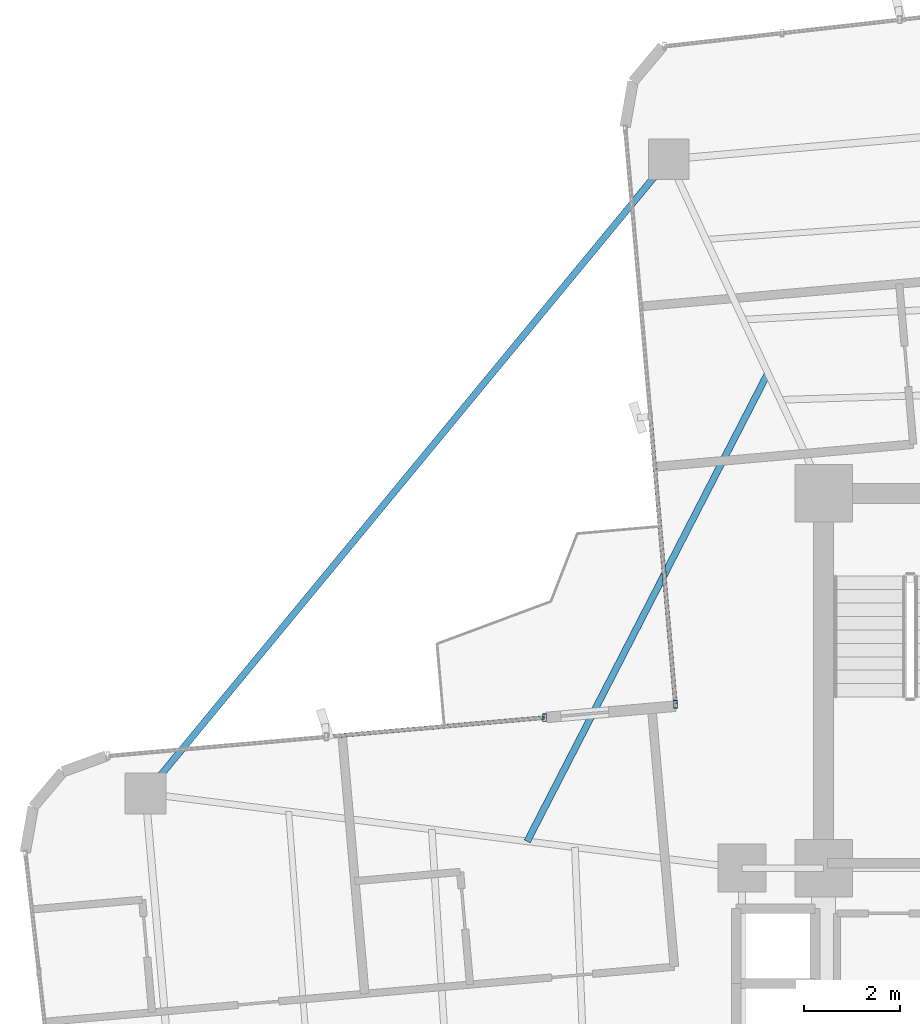
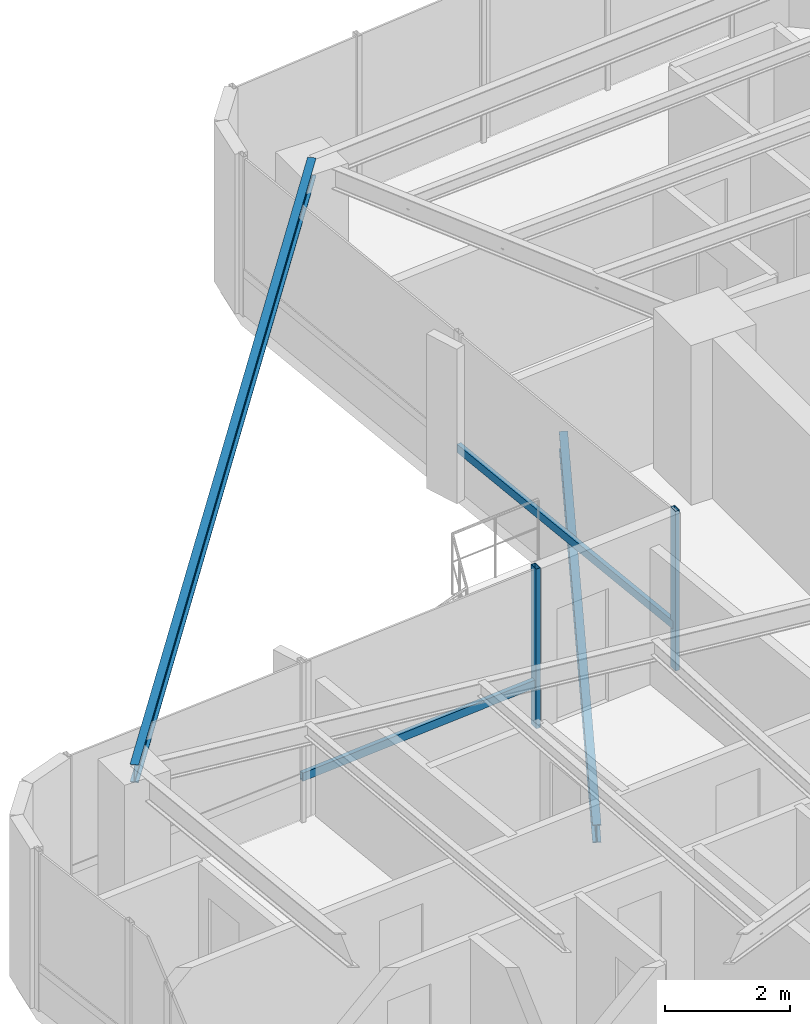
# One storey, part 10 of 24: 4 members, 2 beams, 2 elements without a shape of their own.
"""IFC4 building model written with IfcOpenShell, lengths in metres."""

from ifc_helpers import new_model, si_unit, direction, frame, origin, origin_2d, place, context, subcontext, project, spatial, hollow_rectangle, i_section, extrude, source, transform, mapped, material, material_profile, profile_set, type_object, element, aggregate, save


model = new_model("IFC4")

# Units and contexts
model_context = context("Model", 3, precision=1e-05, world=origin(), true_north=direction((0.0, 1.0)))
body_context = subcontext(model_context, "Body", "Model", "MODEL_VIEW")
ifc_project = project(units=[si_unit("LENGTHUNIT", "METRE"), si_unit("AREAUNIT", "SQUARE_METRE"), si_unit("VOLUMEUNIT", "CUBIC_METRE"), si_unit("PLANEANGLEUNIT", "RADIAN"), si_unit("MASSUNIT", "GRAM", prefix="KILO")], contexts=[model_context])

# Site, building, storey
site_placement = place(None, origin())
site = spatial("IfcSite", under=ifc_project, at=site_placement, CompositionType="ELEMENT")
building_placement = place(site_placement, origin())
building = spatial("IfcBuilding", under=site, at=building_placement, Name="Sahyath Konkavel Grand Hotel", CompositionType="ELEMENT")
storey_placement = place(building_placement, frame((0.0, 0.0, 178.550048828125)))
storey = spatial("IfcBuildingStorey", under=building, at=storey_placement, Name="L49", CompositionType="ELEMENT", Elevation=178.550048828125)

# Beam
ifc_material_1 = material(Name="Steel E350", Category="steel")
ifc_material_profile_1 = material_profile(ifc_material_1, i_section(OverallWidth=0.139892578125, OverallDepth=0.35009765625, WebThickness=0.008056640625, FlangeThickness=0.01416015625, FilletRadius=0.013916015625, at=origin_2d()), Name="ISMB 350")
ifc_profile_set_1 = profile_set([ifc_material_profile_1], Name="Steel E350")
beam_type_1 = type_object("IfcBeamType", Name="BM-ISMB350", PredefinedType="BEAM", material=ifc_profile_set_1)
shared_shape_1 = source(origin(), body_context, "Body", "SweptSolid", [
    extrude(i_section(OverallWidth=0.139892578125, OverallDepth=0.35009765625, WebThickness=0.008056640625, FlangeThickness=0.01416015625, FilletRadius=0.013916015625, at=origin_2d()), origin(), (0.0, 0.0, 1.0), 17.112548828125),
])
beam_1_placement = place(storey_placement, frame((-7.021728515625, 17.1533203125, 2.93505859375), z_axis=(-0.636437070092, -0.77132863023, 0.0), x_axis=(0.77132863023, -0.636437070092, 0.0)))
element("IfcBeam", 1, at=beam_1_placement, inside=storey, type_object=beam_type_1, Name="L49 Re-Entrant Tie Beam NW", PredefinedType="BEAM", context=body_context, shape_type="MappedRepresentation", body=[
    mapped(shared_shape_1, transform((0.0, 0.0, 0.0), scale=1.0)),
])

# Curtain wall, member
ifc_material_2 = material(Name="Anodised Bronze Aluminium & Low-E Glazing", Category="aluminium")
curtain_wall_type = type_object("IfcCurtainWallType", Name="CW-ZONE3", PredefinedType="NOTDEFINED", material=ifc_material_2)
curtain_wall_1_placement = place(storey_placement, origin())
curtain_wall_1 = element("IfcCurtainWall", 2, at=curtain_wall_1_placement, inside=storey, type_object=curtain_wall_type, Name="L49 Unitised Curtain Wall F15", PredefinedType="NOTDEFINED")
ifc_material_3 = material(Name="Anodised Bronze Aluminium", Category="aluminium")
ifc_material_profile_2 = material_profile(ifc_material_3, hollow_rectangle(XDim=0.080078125, YDim=0.159912109375, WallThickness=0.006103515625, at=origin_2d()), Name="RHS 160x80x6")
ifc_profile_set_2 = profile_set([ifc_material_profile_2], Name="Anodised Bronze Aluminium")
member_type_1 = type_object("IfcMemberType", Name="CW-MUL-160", PredefinedType="MULLION", material=ifc_profile_set_2)
shared_shape_2 = source(origin(), body_context, "Body", "SweptSolid", [
    extrude(hollow_rectangle(XDim=0.080078125, YDim=0.159912109375, WallThickness=0.006103515625, at=origin_2d()), origin(), (0.0, 0.0, 1.0), 3.10986328125),
])
member_1_placement = place(storey_placement, frame((-6.8828125, 5.812255859375, 0.0), z_axis=(0.0, 0.0, 1.0), x_axis=(1.0, 0.0, 0.0)))
member_1 = element("IfcMember", 3, at=member_1_placement, type_object=member_type_1, Name="L49 Curtain Wall Mullion F15-2", PredefinedType="MULLION", context=body_context, shape_type="MappedRepresentation", body=[
    mapped(shared_shape_2, transform((0.0, 0.0, 0.0), scale=1.0)),
])

# Curtain wall, members
curtain_wall_2_placement = place(storey_placement, origin())
curtain_wall_2 = element("IfcCurtainWall", 4, at=curtain_wall_2_placement, inside=storey, type_object=curtain_wall_type, Name="L49 Unitised Curtain Wall F16", PredefinedType="NOTDEFINED")
member_2_placement = place(storey_placement, frame((-9.60888671875, 5.53369140625, 0.0), z_axis=(0.0, 0.0, 1.0), x_axis=(1.0, 0.0, 0.0)))
member_2 = element("IfcMember", 5, at=member_2_placement, type_object=member_type_1, Name="L49 Curtain Wall Mullion F16-0", PredefinedType="MULLION", context=body_context, shape_type="MappedRepresentation", body=[
    mapped(shared_shape_2, transform((0.0, 0.0, 0.0), scale=1.0)),
])
ifc_material_profile_3 = material_profile(ifc_material_3, hollow_rectangle(XDim=0.080078125, YDim=0.159912109375, WallThickness=0.006103515625, at=origin_2d()), Name="RHS 160x80x6")
ifc_profile_set_3 = profile_set([ifc_material_profile_3], Name="Anodised Bronze Aluminium")
member_type_2 = type_object("IfcMemberType", Name="CW-TRN-160", PredefinedType="USERDEFINED", material=ifc_profile_set_3)
shared_shape_3 = source(origin(), body_context, "Body", "SweptSolid", [
    extrude(hollow_rectangle(XDim=0.080078125, YDim=0.159912109375, WallThickness=0.006103515625, at=origin_2d()), origin(), (0.0, 0.0, 1.0), 4.56005859375),
])
member_3_placement = place(storey_placement, frame((-9.60888671875, 5.53369140625, 0.849853515625), z_axis=(-0.996189590376, -0.087214104516, 0.0), x_axis=(0.087214104516, -0.996189590376, 0.0)))
member_3 = element("IfcMember", 6, at=member_3_placement, type_object=member_type_2, Name="L49 Curtain Wall Transom F16-0-spandrel", ObjectType="TRANSOM", PredefinedType="USERDEFINED", context=body_context, shape_type="MappedRepresentation", body=[
    mapped(shared_shape_3, transform((0.0, 0.0, 0.0), scale=1.0)),
])
aggregate(curtain_wall_2, [member_2, member_3])

# Member
shared_shape_4 = source(origin(), body_context, "Body", "SweptSolid", [
    extrude(hollow_rectangle(XDim=0.080078125, YDim=0.159912109375, WallThickness=0.006103515625, at=origin_2d()), origin(), (0.0, 0.0, 1.0), 6.010009765625),
])
member_4_placement = place(storey_placement, frame((-7.406494140625, 11.79931640625, 0.849853515625), z_axis=(0.087136210597, -0.996196406741, 0.0), x_axis=(0.996196406741, 0.087136210597, 0.0)))
member_4 = element("IfcMember", 7, at=member_4_placement, type_object=member_type_2, Name="L49 Curtain Wall Transom F15-1-spandrel", ObjectType="TRANSOM", PredefinedType="USERDEFINED", context=body_context, shape_type="MappedRepresentation", body=[
    mapped(shared_shape_4, transform((0.0, 0.0, 0.0), scale=1.0)),
])

aggregate(curtain_wall_1, [member_1, member_4])

# Beam
ifc_material_profile_4 = material_profile(ifc_material_1, i_section(OverallWidth=0.139892578125, OverallDepth=0.35009765625, WebThickness=0.008056640625, FlangeThickness=0.01416015625, FilletRadius=0.013916015625, at=origin_2d()), Name="ISMB 350")
ifc_profile_set_4 = profile_set([ifc_material_profile_4], Name="Steel E350")
beam_type_2 = type_object("IfcBeamType", Name="BM-BALC-CANT", PredefinedType="BEAM", material=ifc_profile_set_4)
shared_shape_5 = source(origin(), body_context, "Body", "SweptSolid", [
    extrude(i_section(OverallWidth=0.139892578125, OverallDepth=0.35009765625, WebThickness=0.008056640625, FlangeThickness=0.01416015625, FilletRadius=0.013916015625, at=origin_2d()), origin(), (0.0, 0.0, 1.0), 10.95556640625),
])
beam_2_placement = place(storey_placement, frame((-4.959716796875, 12.703125, -0.4150390625), z_axis=(-0.457186878355, -0.889370652912, 0.0), x_axis=(0.889370652912, -0.457186878355, 0.0)))
element("IfcBeam", 8, at=beam_2_placement, inside=storey, type_object=beam_type_2, Name="L49 Balcony Cantilever Support Beam NW", PredefinedType="BEAM", context=body_context, shape_type="MappedRepresentation", body=[
    mapped(shared_shape_5, transform((0.0, 0.0, 0.0), scale=1.0)),
])

save(model, "model.ifc")
